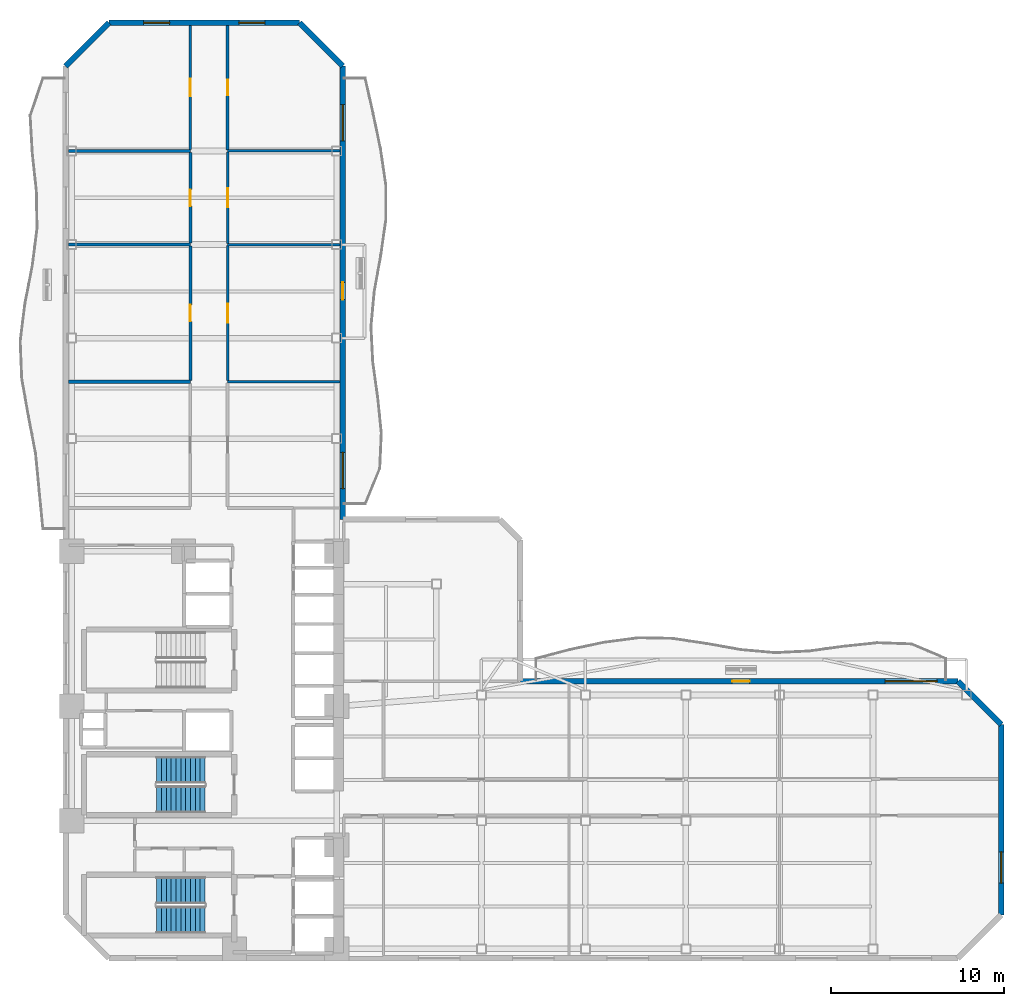
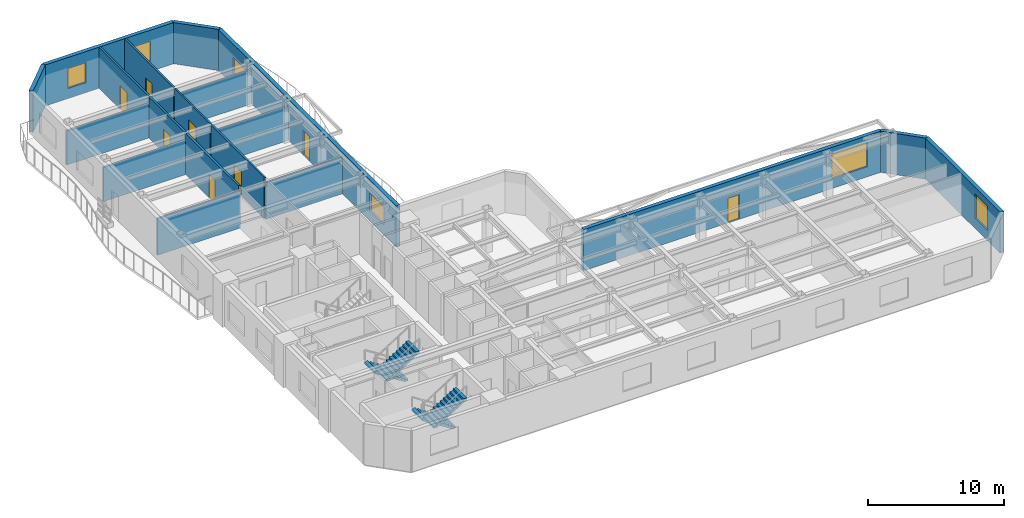
# One storey, part 6 of 10: 19 walls, 8 doors, 6 windows, 4 stair flights, 14 openings, 2 elements without a shape of their own.
"""IFC4 building model written with IfcOpenShell, lengths in metres."""

from ifc_helpers import new_model, si_unit, direction, frame, frame_2d, origin, place, context, subcontext, project, spatial, polyline, rectangle, outline, extrude, material, layer, layer_set, type_object, element, fill, aggregate, save


model = new_model("IFC4")

# Units and contexts
model_context = context("Model", 3, precision=1e-05, world=origin(), true_north=direction((0.0, 1.0)))
body_context = subcontext(model_context, "Body", "Model", "MODEL_VIEW")
ifc_project = project(units=[si_unit("LENGTHUNIT", "METRE"), si_unit("AREAUNIT", "SQUARE_METRE"), si_unit("VOLUMEUNIT", "CUBIC_METRE"), si_unit("PLANEANGLEUNIT", "RADIAN"), si_unit("MASSUNIT", "GRAM", prefix="KILO")], contexts=[model_context])

# Site, building, storey
site_placement = place(None, origin())
site = spatial("IfcSite", under=ifc_project, at=site_placement, CompositionType="ELEMENT")
building_placement = place(site_placement, origin())
building = spatial("IfcBuilding", under=site, at=building_placement, Name="Mawjaban Terraces University", CompositionType="ELEMENT")
storey_placement = place(building_placement, frame((0.0, 0.0, 81.699951171875)))
storey = spatial("IfcBuildingStorey", under=building, at=storey_placement, Name="L19", CompositionType="ELEMENT", Elevation=81.699951171875)

# Walls
ifc_material_1 = material(Name="Acoustic masonry blockwork", Category="masonry")
ifc_layer_1 = layer(ifc_material_1, 0.179931640625)
ifc_layer_set_1 = layer_set([ifc_layer_1], Name="Acoustic masonry blockwork")
wall_type_1 = type_object("IfcWallType", Name="AcousticStudioWall_180", PredefinedType="PARTITIONING", material=ifc_layer_set_1)
wall_1_placement = place(storey_placement, frame((29.199951171875, 33.280029296875, 0.0), z_axis=(0.0, 0.0, 1.0), x_axis=(-1.0, 0.0, 0.0)))
element("IfcWall", 1, at=wall_1_placement, inside=storey, type_object=wall_type_1, Name="L19 Departmental Office 8 Partition 8", PredefinedType="PARTITIONING", context=body_context, shape_type="SweptSolid", body=[
    extrude(rectangle(XDim=7.044921875, YDim=0.179931640625, at=frame_2d((3.5224609375, 0.0))), origin(), (0.0, 0.0, 1.0), 3.277099609375),
])
for number, where, z_axis, x_axis, name in (
    (2, (29.199951171875, 41.199951171875, 0.0), (0.0, 0.0, 1.0), (-1.0, 0.0, 0.0), "L19 Media Workshop 10 Partition 9"),
    (3, (29.199951171875, 46.60009765625, 0.0), (0.0, 0.0, 1.0), (-1.0, 0.0, 0.0), "L19 Design Studio 12 Partition 10"),
):
    element("IfcWall", number, at=place(storey_placement, frame(where, z_axis=z_axis, x_axis=x_axis)), inside=storey, type_object=wall_type_1, Name=name, PredefinedType="PARTITIONING", context=body_context, shape_type="SweptSolid", body=[
        extrude(rectangle(XDim=7.044921875, YDim=0.179931640625, at=frame_2d((3.5224609375, 0.0))), origin(), (0.0, 0.0, 1.0), 3.054931640625),
    ])

# Wall, opening, door
wall_2_placement = place(storey_placement, frame((29.199951171875, 41.114990234375, 0.0), z_axis=(0.0, 0.0, 1.0), x_axis=(0.0, -1.0, 0.0)))
wall_2 = element("IfcWall", 4, at=wall_2_placement, inside=storey, type_object=wall_type_1, Name="L19 North Academic Spine Corridor Partition 33", PredefinedType="PARTITIONING", context=body_context, shape_type="SweptSolid", body=[
    extrude(rectangle(XDim=7.75, YDim=0.179931640625, at=frame_2d((3.875, 0.0))), origin(), (0.0, 0.0, 1.0), 3.68994140625),
])
opening_1_placement = place(wall_2_placement, frame((3.39990234375, 0.0, 0.0)))
opening_1 = element("IfcOpeningElement", 5, at=opening_1_placement, cuts=wall_2, Name="Opening ID-095", PredefinedType="OPENING", context=body_context, shape_type="SweptSolid", body=[
    extrude(rectangle(XDim=0.949951171875, YDim=2.10009765625, at=frame_2d((0.47509765625, 1.050048828125))), frame((0.0, 0.099853515625, 0.0), z_axis=(0.0, -1.0, 0.0), x_axis=(1.0, 0.0, 0.0)), (0.0, 0.0, 1.0), 0.199951171875),
])
ifc_material_2 = material(Name="Powder-coated steel frame and solid acoustic timber leaf", Category="steel")
door_type_1 = type_object("IfcDoorType", Name="StudioDoor_950x2100", OperationType="NOTDEFINED", PredefinedType="DOOR", material=ifc_material_2)
door_1_placement = place(opening_1_placement, origin())
door_1 = element("IfcDoor", 6, at=door_1_placement, inside=storey, type_object=door_type_1, Name="L19 Media Workshop 10 Door", OperationType="SINGLE_SWING_RIGHT", OverallHeight=2.10009765625, OverallWidth=0.949951171875, PredefinedType="DOOR", context=body_context, shape_type="SweptSolid", body=[
    extrude(rectangle(XDim=0.949951171875, YDim=2.10009765625, at=frame_2d((0.47509765625, 1.050048828125))), frame((0.0, 0.02490234375, 0.0), z_axis=(0.0, -1.0, 0.0), x_axis=(1.0, 0.0, 0.0)), (0.0, 0.0, 1.0), 0.050048828125),
])
fill(opening_1, door_1)

wall_3_placement = place(storey_placement, frame((29.199951171875, 46.514892578125, 0.0), z_axis=(0.0, 0.0, 1.0), x_axis=(0.0, -1.0, 0.0)))
wall_3 = element("IfcWall", 7, at=wall_3_placement, inside=storey, type_object=wall_type_1, Name="L19 North Academic Spine Corridor Partition 34", PredefinedType="PARTITIONING", context=body_context, shape_type="SweptSolid", body=[
    extrude(rectangle(XDim=5.22998046875, YDim=0.179931640625, at=frame_2d((2.614990234375, 0.0))), origin(), (0.0, 0.0, 1.0), 3.68994140625),
])
opening_2_placement = place(wall_3_placement, frame((2.139892578125, 0.0, 0.0)))
opening_2 = element("IfcOpeningElement", 8, at=opening_2_placement, cuts=wall_3, Name="Opening ID-095", PredefinedType="OPENING", context=body_context, shape_type="SweptSolid", body=[
    extrude(rectangle(XDim=0.949951171875, YDim=2.10009765625, at=frame_2d((0.47509765625, 1.050048828125))), frame((0.0, 0.099853515625, 0.0), z_axis=(0.0, -1.0, 0.0), x_axis=(1.0, 0.0, 0.0)), (0.0, 0.0, 1.0), 0.199951171875),
])
door_2_placement = place(opening_2_placement, origin())
door_2 = element("IfcDoor", 9, at=door_2_placement, inside=storey, type_object=door_type_1, Name="L19 Design Studio 12 Door", OperationType="SINGLE_SWING_RIGHT", OverallHeight=2.10009765625, OverallWidth=0.949951171875, PredefinedType="DOOR", context=body_context, shape_type="SweptSolid", body=[
    extrude(rectangle(XDim=0.949951171875, YDim=2.10009765625, at=frame_2d((0.47509765625, 1.050048828125))), frame((0.0, 0.02490234375, 0.0), z_axis=(0.0, -1.0, 0.0), x_axis=(1.0, 0.0, 0.0)), (0.0, 0.0, 1.0), 0.050048828125),
])
fill(opening_2, door_2)

ifc_material_3 = material(Name="Fire-rated gypsum board on steel stud", Category="steel")
ifc_layer_2 = layer(ifc_material_3, 0.159912109375)
ifc_layer_set_2 = layer_set([ifc_layer_2], Name="Fire-rated gypsum board on steel stud")
wall_type_2 = type_object("IfcWallType", Name="CorridorPartition_160", PredefinedType="PARTITIONING", material=ifc_layer_set_2)
wall_4_placement = place(storey_placement, frame((29.199951171875, 53.844970703125, 0.0), z_axis=(0.0, 0.0, 1.0), x_axis=(0.0, -1.0, 0.0)))
wall_4 = element("IfcWall", 10, at=wall_4_placement, inside=storey, type_object=wall_type_2, Name="L19 North Academic Spine Corridor Partition 35", PredefinedType="PARTITIONING", context=body_context, shape_type="SweptSolid", body=[
    extrude(rectangle(XDim=7.159912109375, YDim=0.159912109375, at=frame_2d((3.580078125, 0.0))), origin(), (0.0, 0.0, 1.0), 3.68994140625),
])
opening_3_placement = place(wall_4_placement, frame((3.080078125, 0.0, 0.0)))
opening_3 = element("IfcOpeningElement", 11, at=opening_3_placement, cuts=wall_4, Name="Opening ID-100", PredefinedType="OPENING", context=body_context, shape_type="SweptSolid", body=[
    extrude(rectangle(XDim=1.0, YDim=2.10009765625, at=frame_2d((0.5, 1.050048828125))), frame((0.0, 0.08984375, 0.0), z_axis=(0.0, -1.0, 0.0), x_axis=(1.0, 0.0, 0.0)), (0.0, 0.0, 1.0), 0.179931640625),
])
door_type_2 = type_object("IfcDoorType", Name="ClassroomDoor_1000x2100", OperationType="NOTDEFINED", PredefinedType="DOOR", material=ifc_material_2)
door_3_placement = place(opening_3_placement, origin())
door_3 = element("IfcDoor", 12, at=door_3_placement, inside=storey, type_object=door_type_2, Name="L19 Classroom 14 Door", OperationType="SINGLE_SWING_RIGHT", OverallHeight=2.10009765625, OverallWidth=1.0, PredefinedType="DOOR", context=body_context, shape_type="SweptSolid", body=[
    extrude(rectangle(XDim=1.0, YDim=2.10009765625, at=frame_2d((0.5, 1.050048828125))), frame((0.0, 0.02490234375, 0.0), z_axis=(0.0, -1.0, 0.0), x_axis=(1.0, 0.0, 0.0)), (0.0, 0.0, 1.0), 0.050048828125),
])
fill(opening_3, door_3)

wall_5_placement = place(storey_placement, frame((31.35009765625, 46.66796875, 0.0), z_axis=(0.0, 0.0, 1.0), x_axis=(0.0, 1.0, 0.0)))
wall_5 = element("IfcWall", 13, at=wall_5_placement, inside=storey, type_object=wall_type_2, Name="L19 North Academic Spine Corridor Partition 39", PredefinedType="PARTITIONING", context=body_context, shape_type="SweptSolid", body=[
    extrude(rectangle(XDim=7.177001953125, YDim=0.159912109375, at=frame_2d((3.58837890625, 0.0))), origin(), (0.0, 0.0, 1.0), 3.68994140625),
])
opening_4_placement = place(wall_5_placement, frame((3.137939453125, 0.0, 0.0)))
opening_4 = element("IfcOpeningElement", 14, at=opening_4_placement, cuts=wall_5, Name="Opening ID-090", PredefinedType="OPENING", context=body_context, shape_type="SweptSolid", body=[
    extrude(rectangle(XDim=0.89990234375, YDim=2.10009765625, at=frame_2d((0.449951171875, 1.050048828125))), frame((0.0, 0.08984375, 0.0), z_axis=(0.0, -1.0, 0.0), x_axis=(1.0, 0.0, 0.0)), (0.0, 0.0, 1.0), 0.179931640625),
])
door_type_3 = type_object("IfcDoorType", Name="OfficeDoor_900x2100", OperationType="NOTDEFINED", PredefinedType="DOOR", material=ifc_material_2)
door_4_placement = place(opening_4_placement, origin())
door_4 = element("IfcDoor", 15, at=door_4_placement, inside=storey, type_object=door_type_3, Name="L19 Academic Counseling Room 15 Door", OperationType="SINGLE_SWING_LEFT", OverallHeight=2.10009765625, OverallWidth=0.89990234375, PredefinedType="DOOR", context=body_context, shape_type="SweptSolid", body=[
    extrude(rectangle(XDim=0.89990234375, YDim=2.10009765625, at=frame_2d((0.449951171875, 1.050048828125))), frame((0.0, 0.02490234375, 0.0), z_axis=(0.0, -1.0, 0.0), x_axis=(1.0, 0.0, 0.0)), (0.0, 0.0, 1.0), 0.050048828125),
])
fill(opening_4, door_4)

# Wall, opening, window
ifc_material_4 = material(Name="Insulated terracotta rainscreen on concrete backup C40/50", Category="masonry")
ifc_layer_3 = layer(ifc_material_4, 0.320068359375)
ifc_layer_set_3 = layer_set([ifc_layer_3], Name="Insulated terracotta rainscreen on concrete backup C40/50")
wall_type_3 = type_object("IfcWallType", Name="ExtTerracottaWall_320", PredefinedType="SOLIDWALL", material=ifc_layer_set_3)
wall_6_placement = place(storey_placement, frame((76.0, 2.5, 0.0), z_axis=(0.0, 0.0, 1.0), x_axis=(0.0, 1.0, 0.0)))
wall_6 = element("IfcWall", 16, at=wall_6_placement, inside=storey, type_object=wall_type_3, Name="L19 Exterior Terracotta Wall 3", PredefinedType="SOLIDWALL", context=body_context, shape_type="SweptSolid", body=[
    extrude(rectangle(XDim=11.0, YDim=0.320068359375, at=frame_2d((5.5, 0.0))), origin(), (0.0, 0.0, 1.0), 3.68994140625),
])
opening_5_placement = place(wall_6_placement, frame((1.85009765625, 0.0, 0.89990234375)))
opening_5 = element("IfcOpeningElement", 17, at=opening_5_placement, cuts=wall_6, Name="Opening W-10", PredefinedType="OPENING", context=body_context, shape_type="SweptSolid", body=[
    extrude(rectangle(XDim=1.800048828125, YDim=2.199951171875, at=frame_2d((0.89990234375, 1.10009765625))), frame((0.0, 0.169921875, 0.0), z_axis=(0.0, -1.0, 0.0), x_axis=(1.0, 0.0, 0.0)), (0.0, 0.0, 1.0), 0.340087890625),
])
ifc_material_5 = material(Name="Low-E solar-control double glazing in thermally broken aluminium frame", Category="aluminium")
window_type_1 = type_object("IfcWindowType", Name="Win_1800x2200", PartitioningType="SINGLE_PANEL", PredefinedType="WINDOW", material=ifc_material_5)
window_1_placement = place(opening_5_placement, origin())
window_1 = element("IfcWindow", 18, at=window_1_placement, inside=storey, type_object=window_type_1, Name="L19 Facade Window 3.1", OverallHeight=2.199951171875, OverallWidth=1.800048828125, PartitioningType="SINGLE_PANEL", PredefinedType="WINDOW", context=body_context, shape_type="SweptSolid", body=[
    extrude(rectangle(XDim=1.800048828125, YDim=2.199951171875, at=frame_2d((0.89990234375, 1.10009765625))), frame((0.0, 0.030029296875, 0.0), z_axis=(0.0, -1.0, 0.0), x_axis=(1.0, 0.0, 0.0)), (0.0, 0.0, 1.0), 0.06005859375),
])
fill(opening_5, window_1)

# Wall
wall_7_placement = place(storey_placement, frame((76.0, 13.5, 0.0), z_axis=(0.0, 0.0, 1.0), x_axis=(-0.707106781187, 0.707106781187, 0.0)))
element("IfcWall", 19, at=wall_7_placement, inside=storey, type_object=wall_type_3, Name="L19 Exterior Terracotta Wall 4", PredefinedType="SOLIDWALL", context=body_context, shape_type="SweptSolid", body=[
    extrude(rectangle(XDim=3.53564453125, YDim=0.320068359375, at=frame_2d((1.767822265625, 0.0))), origin(), (0.0, 0.0, 1.0), 3.68994140625),
])

# Wall, openings, door, window
wall_8_placement = place(storey_placement, frame((73.5, 16.0, 0.0), z_axis=(0.0, 0.0, 1.0), x_axis=(-1.0, 0.0, 0.0)))
wall_8 = element("IfcWall", 20, at=wall_8_placement, inside=storey, type_object=wall_type_3, Name="L19 Exterior Terracotta Wall 5", PredefinedType="SOLIDWALL", context=body_context, shape_type="SweptSolid", body=[
    extrude(rectangle(XDim=25.25, YDim=0.320068359375, at=frame_2d((12.625, 0.0))), origin(), (0.0, 0.0, 1.0), 3.68994140625),
])
opening_6_placement = place(wall_8_placement, frame((12.02490234375, 0.0, 0.0)))
opening_6 = element("IfcOpeningElement", 21, at=opening_6_placement, cuts=wall_8, Name="Opening BD-100", PredefinedType="OPENING", context=body_context, shape_type="SweptSolid", body=[
    extrude(rectangle(XDim=1.0, YDim=2.199951171875, at=frame_2d((0.5, 1.10009765625))), frame((0.0, 0.169921875, 0.0), z_axis=(0.0, -1.0, 0.0), x_axis=(1.0, 0.0, 0.0)), (0.0, 0.0, 1.0), 0.340087890625),
])
opening_7_placement = place(wall_8_placement, frame((1.2060546875, 0.0, 0.89990234375)))
opening_7 = element("IfcOpeningElement", 22, at=opening_7_placement, cuts=wall_8, Name="Opening W-12", PredefinedType="OPENING", context=body_context, shape_type="SweptSolid", body=[
    extrude(rectangle(XDim=3.0, YDim=2.199951171875, at=frame_2d((1.5, 1.10009765625))), frame((0.0, 0.169921875, 0.0), z_axis=(0.0, -1.0, 0.0), x_axis=(1.0, 0.0, 0.0)), (0.0, 0.0, 1.0), 0.340087890625),
])
ifc_material_6 = material(Name="Thermally broken anodised aluminium and laminated safety glass", Category="aluminium")
door_type_4 = type_object("IfcDoorType", Name="BalconyGlazedDoor_1000x2200", OperationType="NOTDEFINED", PredefinedType="DOOR", material=ifc_material_6)
door_5_placement = place(opening_6_placement, origin())
door_5 = element("IfcDoor", 23, at=door_5_placement, inside=storey, type_object=door_type_4, Name="L19 Balcony Access Door inner_north", OperationType="SINGLE_SWING_RIGHT", OverallHeight=2.199951171875, OverallWidth=1.0, PredefinedType="DOOR", context=body_context, shape_type="SweptSolid", body=[
    extrude(rectangle(XDim=1.0, YDim=2.199951171875, at=frame_2d((0.5, 1.10009765625))), frame((0.0, 0.02490234375, 0.0), z_axis=(0.0, -1.0, 0.0), x_axis=(1.0, 0.0, 0.0)), (0.0, 0.0, 1.0), 0.050048828125),
])
fill(opening_6, door_5)
window_type_2 = type_object("IfcWindowType", Name="Win_3000x2200", PartitioningType="SINGLE_PANEL", PredefinedType="WINDOW", material=ifc_material_5)
window_2_placement = place(opening_7_placement, origin())
window_2 = element("IfcWindow", 24, at=window_2_placement, inside=storey, type_object=window_type_2, Name="L19 Facade Window 5.1", OverallHeight=2.199951171875, OverallWidth=3.0, PartitioningType="SINGLE_PANEL", PredefinedType="WINDOW", context=body_context, shape_type="SweptSolid", body=[
    extrude(rectangle(XDim=3.0, YDim=2.199951171875, at=frame_2d((1.5, 1.10009765625))), frame((0.0, 0.030029296875, 0.0), z_axis=(0.0, -1.0, 0.0), x_axis=(1.0, 0.0, 0.0)), (0.0, 0.0, 1.0), 0.06005859375),
])
fill(opening_7, window_2)

# Wall, openings, door, windows
wall_9_placement = place(storey_placement, frame((38.0, 25.3369140625, 0.0), z_axis=(0.0, 0.0, 1.0), x_axis=(0.0, 1.0, 0.0)))
wall_9 = element("IfcWall", 25, at=wall_9_placement, inside=storey, type_object=wall_type_3, Name="L19 Exterior Terracotta Wall 9", PredefinedType="SOLIDWALL", context=body_context, shape_type="SweptSolid", body=[
    extrude(rectangle(XDim=26.1630859375, YDim=0.320068359375, at=frame_2d((13.08154296875, 0.0))), origin(), (0.0, 0.0, 1.0), 3.68994140625),
])
opening_8_placement = place(wall_9_placement, frame((12.680908203125, 0.0, 0.0)))
opening_8 = element("IfcOpeningElement", 26, at=opening_8_placement, cuts=wall_9, Name="Opening BD-100", PredefinedType="OPENING", context=body_context, shape_type="SweptSolid", body=[
    extrude(rectangle(XDim=1.0, YDim=2.199951171875, at=frame_2d((0.5, 1.10009765625))), frame((0.0, 0.169921875, 0.0), z_axis=(0.0, -1.0, 0.0), x_axis=(1.0, 0.0, 0.0)), (0.0, 0.0, 1.0), 0.340087890625),
])
opening_9_placement = place(wall_9_placement, frame((1.77001953125, 0.0, 0.89990234375)))
opening_9 = element("IfcOpeningElement", 27, at=opening_9_placement, cuts=wall_9, Name="Opening W-04", PredefinedType="OPENING", context=body_context, shape_type="SweptSolid", body=[
    extrude(rectangle(XDim=2.10009765625, YDim=1.60009765625, at=frame_2d((1.050048828125, 0.800048828125))), frame((0.0, 0.169921875, 0.0), z_axis=(0.0, -1.0, 0.0), x_axis=(1.0, 0.0, 0.0)), (0.0, 0.0, 1.0), 0.340087890625),
])
opening_10_placement = place(wall_9_placement, frame((21.843017578125, 0.0, 0.89990234375)))
opening_10 = element("IfcOpeningElement", 28, at=opening_10_placement, cuts=wall_9, Name="Opening W-04", PredefinedType="OPENING", context=body_context, shape_type="SweptSolid", body=[
    extrude(rectangle(XDim=2.10009765625, YDim=1.60009765625, at=frame_2d((1.050048828125, 0.800048828125))), frame((0.0, 0.169921875, 0.0), z_axis=(0.0, -1.0, 0.0), x_axis=(1.0, 0.0, 0.0)), (0.0, 0.0, 1.0), 0.340087890625),
])
door_6_placement = place(opening_8_placement, origin())
door_6 = element("IfcDoor", 29, at=door_6_placement, inside=storey, type_object=door_type_4, Name="L19 Balcony Access Door inner_east", OperationType="SINGLE_SWING_RIGHT", OverallHeight=2.199951171875, OverallWidth=1.0, PredefinedType="DOOR", context=body_context, shape_type="SweptSolid", body=[
    extrude(rectangle(XDim=1.0, YDim=2.199951171875, at=frame_2d((0.5, 1.10009765625))), frame((0.0, 0.02490234375, 0.0), z_axis=(0.0, -1.0, 0.0), x_axis=(1.0, 0.0, 0.0)), (0.0, 0.0, 1.0), 0.050048828125),
])
fill(opening_8, door_6)
window_type_3 = type_object("IfcWindowType", Name="Win_2100x1600", PartitioningType="SINGLE_PANEL", PredefinedType="WINDOW", material=ifc_material_5)
window_3_placement = place(opening_9_placement, origin())
window_3 = element("IfcWindow", 30, at=window_3_placement, inside=storey, type_object=window_type_3, Name="L19 Facade Window 9.1", OverallHeight=1.60009765625, OverallWidth=2.10009765625, PartitioningType="SINGLE_PANEL", PredefinedType="WINDOW", context=body_context, shape_type="SweptSolid", body=[
    extrude(rectangle(XDim=2.10009765625, YDim=1.60009765625, at=frame_2d((1.050048828125, 0.800048828125))), frame((0.0, 0.030029296875, 0.0), z_axis=(0.0, -1.0, 0.0), x_axis=(1.0, 0.0, 0.0)), (0.0, 0.0, 1.0), 0.06005859375),
])
fill(opening_9, window_3)
window_4_placement = place(opening_10_placement, origin())
window_4 = element("IfcWindow", 31, at=window_4_placement, inside=storey, type_object=window_type_3, Name="L19 Facade Window 9.4", OverallHeight=1.60009765625, OverallWidth=2.10009765625, PartitioningType="SINGLE_PANEL", PredefinedType="WINDOW", context=body_context, shape_type="SweptSolid", body=[
    extrude(rectangle(XDim=2.10009765625, YDim=1.60009765625, at=frame_2d((1.050048828125, 0.800048828125))), frame((0.0, 0.030029296875, 0.0), z_axis=(0.0, -1.0, 0.0), x_axis=(1.0, 0.0, 0.0)), (0.0, 0.0, 1.0), 0.06005859375),
])
fill(opening_10, window_4)

# Wall
wall_10_placement = place(storey_placement, frame((38.0, 51.5, 0.0), z_axis=(0.0, 0.0, 1.0), x_axis=(-0.707106781187, 0.707106781187, 0.0)))
element("IfcWall", 32, at=wall_10_placement, inside=storey, type_object=wall_type_3, Name="L19 Exterior Terracotta Wall 10", PredefinedType="SOLIDWALL", context=body_context, shape_type="SweptSolid", body=[
    extrude(rectangle(XDim=3.53564453125, YDim=0.320068359375, at=frame_2d((1.767822265625, 0.0))), origin(), (0.0, 0.0, 1.0), 3.68994140625),
])

# Wall, openings, windows
wall_11_placement = place(storey_placement, frame((35.5, 54.0, 0.0), z_axis=(0.0, 0.0, 1.0), x_axis=(-1.0, 0.0, 0.0)))
wall_11 = element("IfcWall", 33, at=wall_11_placement, inside=storey, type_object=wall_type_3, Name="L19 Exterior Terracotta Wall 11", PredefinedType="SOLIDWALL", context=body_context, shape_type="SweptSolid", body=[
    extrude(rectangle(XDim=11.0, YDim=0.320068359375, at=frame_2d((5.5, 0.0))), origin(), (0.0, 0.0, 1.0), 3.68994140625),
])
opening_11_placement = place(wall_11_placement, frame((2.0, 0.0, 0.89990234375)))
opening_11 = element("IfcOpeningElement", 34, at=opening_11_placement, cuts=wall_11, Name="Opening W-06", PredefinedType="OPENING", context=body_context, shape_type="SweptSolid", body=[
    extrude(rectangle(XDim=1.5, YDim=1.800048828125, at=frame_2d((0.75, 0.89990234375))), frame((0.0, 0.169921875, 0.0), z_axis=(0.0, -1.0, 0.0), x_axis=(1.0, 0.0, 0.0)), (0.0, 0.0, 1.0), 0.340087890625),
])
opening_12_placement = place(wall_11_placement, frame((7.5, 0.0, 0.89990234375)))
opening_12 = element("IfcOpeningElement", 35, at=opening_12_placement, cuts=wall_11, Name="Opening W-06", PredefinedType="OPENING", context=body_context, shape_type="SweptSolid", body=[
    extrude(rectangle(XDim=1.5, YDim=1.800048828125, at=frame_2d((0.75, 0.89990234375))), frame((0.0, 0.169921875, 0.0), z_axis=(0.0, -1.0, 0.0), x_axis=(1.0, 0.0, 0.0)), (0.0, 0.0, 1.0), 0.340087890625),
])
window_type_4 = type_object("IfcWindowType", Name="Win_1500x1800", PartitioningType="SINGLE_PANEL", PredefinedType="WINDOW", material=ifc_material_5)
window_5_placement = place(opening_11_placement, origin())
window_5 = element("IfcWindow", 36, at=window_5_placement, inside=storey, type_object=window_type_4, Name="L19 Facade Window 11.1", OverallHeight=1.800048828125, OverallWidth=1.5, PartitioningType="SINGLE_PANEL", PredefinedType="WINDOW", context=body_context, shape_type="SweptSolid", body=[
    extrude(rectangle(XDim=1.5, YDim=1.800048828125, at=frame_2d((0.75, 0.89990234375))), frame((0.0, 0.030029296875, 0.0), z_axis=(0.0, -1.0, 0.0), x_axis=(1.0, 0.0, 0.0)), (0.0, 0.0, 1.0), 0.06005859375),
])
fill(opening_11, window_5)
window_6_placement = place(opening_12_placement, origin())
window_6 = element("IfcWindow", 37, at=window_6_placement, inside=storey, type_object=window_type_4, Name="L19 Facade Window 11.2", OverallHeight=1.800048828125, OverallWidth=1.5, PartitioningType="SINGLE_PANEL", PredefinedType="WINDOW", context=body_context, shape_type="SweptSolid", body=[
    extrude(rectangle(XDim=1.5, YDim=1.800048828125, at=frame_2d((0.75, 0.89990234375))), frame((0.0, 0.030029296875, 0.0), z_axis=(0.0, -1.0, 0.0), x_axis=(1.0, 0.0, 0.0)), (0.0, 0.0, 1.0), 0.06005859375),
])
fill(opening_12, window_6)

# Walls
wall_12_placement = place(storey_placement, frame((24.5, 54.0, 0.0), z_axis=(0.0, 0.0, 1.0), x_axis=(-0.707106781187, -0.707106781187, 0.0)))
element("IfcWall", 38, at=wall_12_placement, inside=storey, type_object=wall_type_3, Name="L19 Exterior Terracotta Wall 12", PredefinedType="SOLIDWALL", context=body_context, shape_type="SweptSolid", body=[
    extrude(rectangle(XDim=3.53564453125, YDim=0.320068359375, at=frame_2d((1.767822265625, 0.0))), origin(), (0.0, 0.0, 1.0), 3.68994140625),
])
ifc_material_7 = material(Name="Moisture-resistant gypsum board on steel stud", Category="steel")
ifc_layer_4 = layer(ifc_material_7, 0.14501953125)
ifc_layer_set_4 = layer_set([ifc_layer_4], Name="Moisture-resistant gypsum board on steel stud")
wall_type_4 = type_object("IfcWallType", Name="LabPartition_145", PredefinedType="PARTITIONING", material=ifc_layer_set_4)
wall_13_placement = place(storey_placement, frame((37.844970703125, 33.280029296875, 0.0), z_axis=(0.0, 0.0, 1.0), x_axis=(-1.0, 0.0, 0.0)))
element("IfcWall", 39, at=wall_13_placement, inside=storey, type_object=wall_type_4, Name="L19 Quiet Reading Room 9 Partition 15", PredefinedType="PARTITIONING", context=body_context, shape_type="SweptSolid", body=[
    extrude(rectangle(XDim=6.494873046875, YDim=0.14501953125, at=frame_2d((3.24755859375, 0.0))), origin(), (0.0, 0.0, 1.0), 3.277099609375),
])
for number, where, z_axis, x_axis, name in (
    (40, (37.844970703125, 41.199951171875, 0.0), (0.0, 0.0, 1.0), (-1.0, 0.0, 0.0), "L19 Teaching Laboratory 11 Partition 16"),
    (41, (37.844970703125, 46.60009765625, 0.0), (0.0, 0.0, 1.0), (-1.0, 0.0, 0.0), "L19 Computational Laboratory 13 Partition 17"),
):
    element("IfcWall", number, at=place(storey_placement, frame(where, z_axis=z_axis, x_axis=x_axis)), inside=storey, type_object=wall_type_4, Name=name, PredefinedType="PARTITIONING", context=body_context, shape_type="SweptSolid", body=[
        extrude(rectangle(XDim=6.494873046875, YDim=0.14501953125, at=frame_2d((3.24755859375, 0.0))), origin(), (0.0, 0.0, 1.0), 3.054931640625),
    ])

# Wall, opening, door
wall_14_placement = place(storey_placement, frame((31.35009765625, 33.347900390625, 0.0), z_axis=(0.0, 0.0, 1.0), x_axis=(0.0, 1.0, 0.0)))
wall_14 = element("IfcWall", 42, at=wall_14_placement, inside=storey, type_object=wall_type_4, Name="L19 North Academic Spine Corridor Partition 37", PredefinedType="PARTITIONING", context=body_context, shape_type="SweptSolid", body=[
    extrude(rectangle(XDim=7.78515625, YDim=0.14501953125, at=frame_2d((3.892578125, 0.0))), origin(), (0.0, 0.0, 1.0), 3.68994140625),
])
opening_13_placement = place(wall_14_placement, frame((3.343017578125, 0.0, 0.0)))
opening_13 = element("IfcOpeningElement", 43, at=opening_13_placement, cuts=wall_14, Name="Opening ID-110", PredefinedType="OPENING", context=body_context, shape_type="SweptSolid", body=[
    extrude(rectangle(XDim=1.10009765625, YDim=2.14990234375, at=frame_2d((0.550048828125, 1.074951171875))), frame((0.0, 0.08251953125, 0.0), z_axis=(0.0, -1.0, 0.0), x_axis=(1.0, 0.0, 0.0)), (0.0, 0.0, 1.0), 0.1650390625),
])
door_type_5 = type_object("IfcDoorType", Name="LabDoor_1100x2150", OperationType="NOTDEFINED", PredefinedType="DOOR", material=ifc_material_2)
door_7_placement = place(opening_13_placement, origin())
door_7 = element("IfcDoor", 44, at=door_7_placement, inside=storey, type_object=door_type_5, Name="L19 Teaching Laboratory 11 Door", OperationType="SINGLE_SWING_LEFT", OverallHeight=2.14990234375, OverallWidth=1.10009765625, PredefinedType="DOOR", context=body_context, shape_type="SweptSolid", body=[
    extrude(rectangle(XDim=1.10009765625, YDim=2.14990234375, at=frame_2d((0.550048828125, 1.074951171875))), frame((0.0, 0.02490234375, 0.0), z_axis=(0.0, -1.0, 0.0), x_axis=(1.0, 0.0, 0.0)), (0.0, 0.0, 1.0), 0.050048828125),
])
fill(opening_13, door_7)

wall_15_placement = place(storey_placement, frame((31.35009765625, 41.26806640625, 0.0), z_axis=(0.0, 0.0, 1.0), x_axis=(0.0, 1.0, 0.0)))
wall_15 = element("IfcWall", 45, at=wall_15_placement, inside=storey, type_object=wall_type_4, Name="L19 North Academic Spine Corridor Partition 38", PredefinedType="PARTITIONING", context=body_context, shape_type="SweptSolid", body=[
    extrude(rectangle(XDim=5.263916015625, YDim=0.14501953125, at=frame_2d((2.6318359375, 0.0))), origin(), (0.0, 0.0, 1.0), 3.68994140625),
])
opening_14_placement = place(wall_15_placement, frame((2.08203125, 0.0, 0.0)))
opening_14 = element("IfcOpeningElement", 46, at=opening_14_placement, cuts=wall_15, Name="Opening ID-110", PredefinedType="OPENING", context=body_context, shape_type="SweptSolid", body=[
    extrude(rectangle(XDim=1.10009765625, YDim=2.14990234375, at=frame_2d((0.550048828125, 1.074951171875))), frame((0.0, 0.08251953125, 0.0), z_axis=(0.0, -1.0, 0.0), x_axis=(1.0, 0.0, 0.0)), (0.0, 0.0, 1.0), 0.1650390625),
])
door_8_placement = place(opening_14_placement, origin())
door_8 = element("IfcDoor", 47, at=door_8_placement, inside=storey, type_object=door_type_5, Name="L19 Computational Laboratory 13 Door", OperationType="SINGLE_SWING_LEFT", OverallHeight=2.14990234375, OverallWidth=1.10009765625, PredefinedType="DOOR", context=body_context, shape_type="SweptSolid", body=[
    extrude(rectangle(XDim=1.10009765625, YDim=2.14990234375, at=frame_2d((0.550048828125, 1.074951171875))), frame((0.0, 0.02490234375, 0.0), z_axis=(0.0, -1.0, 0.0), x_axis=(1.0, 0.0, 0.0)), (0.0, 0.0, 1.0), 0.050048828125),
])
fill(opening_14, door_8)

# Stair, stair flights
ifc_material_8 = material(Name="Concrete C40/50", Category="concrete")
stair_type = type_object("IfcStairType", Name="Stair_Core1550_H39", PredefinedType="HALF_TURN_STAIR", material=ifc_material_8)
stair_1_placement = place(storey_placement, origin())
stair_1 = element("IfcStair", 48, at=stair_1_placement, inside=storey, type_object=stair_type, Name="L19 Core Exit Stair 1", PredefinedType="HALF_TURN_STAIR")
stair_flight_type = type_object("IfcStairFlightType", Name="Flight_Core1550_H39", PredefinedType="STRAIGHT", material=ifc_material_8)
stair_flight_1_placement = place(storey_placement, frame((30.050048828125, 3.925048828125, 0.0), z_axis=(0.0, 0.0, 1.0), x_axis=(-1.0, 0.0, 0.0)))
stair_flight_1 = element("IfcStairFlight", 49, at=stair_flight_1_placement, type_object=stair_flight_type, Name="ST-1 flight 1", NumberOfRisers=11, NumberOfTreads=10, PredefinedType="STRAIGHT", RiserHeight=0.177272727, TreadLength=0.28, context=body_context, shape_type="SweptSolid", body=[
    extrude(outline(polyline([(0.0, 0.0), (0.0, 0.17724609375), (0.280029296875, 0.17724609375), (0.280029296875, 0.3544921875), (0.56005859375, 0.3544921875), (0.56005859375, 0.53173828125), (0.840087890625, 0.53173828125), (0.840087890625, 0.708984375), (1.1201171875, 0.708984375), (1.1201171875, 0.886474609375), (1.39990234375, 0.886474609375), (1.39990234375, 1.063720703125), (1.679931640625, 1.063720703125), (1.679931640625, 1.240966796875), (1.9599609375, 1.240966796875), (1.9599609375, 1.418212890625), (2.239990234375, 1.418212890625), (2.239990234375, 1.595458984375), (2.52001953125, 1.595458984375), (2.52001953125, 1.772705078125), (2.800048828125, 1.772705078125), (2.800048828125, 1.949951171875), (2.800048828125, 1.59521484375), (0.2802734375, 0.0), (0.0, 0.0)])), frame((0.0, 0.77490234375, 0.0), z_axis=(0.0, -1.0, 0.0), x_axis=(1.0, 0.0, 0.0)), (0.0, 0.0, 1.0), 1.550048828125),
])
stair_flight_2_placement = place(storey_placement, frame((27.25, 2.22509765625, 1.949951171875), z_axis=(0.0, 0.0, 1.0), x_axis=(1.0, 0.0, 0.0)))
stair_flight_2 = element("IfcStairFlight", 50, at=stair_flight_2_placement, type_object=stair_flight_type, Name="ST-1 flight 2", NumberOfRisers=11, NumberOfTreads=10, PredefinedType="STRAIGHT", RiserHeight=0.177272727, TreadLength=0.28, context=body_context, shape_type="SweptSolid", body=[
    extrude(outline(polyline([(0.0, 0.0), (0.0, 0.17724609375), (0.280029296875, 0.17724609375), (0.280029296875, 0.3544921875), (0.56005859375, 0.3544921875), (0.56005859375, 0.53173828125), (0.840087890625, 0.53173828125), (0.840087890625, 0.708984375), (1.1201171875, 0.708984375), (1.1201171875, 0.886474609375), (1.39990234375, 0.886474609375), (1.39990234375, 1.063720703125), (1.679931640625, 1.063720703125), (1.679931640625, 1.240966796875), (1.9599609375, 1.240966796875), (1.9599609375, 1.418212890625), (2.239990234375, 1.418212890625), (2.239990234375, 1.595458984375), (2.52001953125, 1.595458984375), (2.52001953125, 1.772705078125), (2.800048828125, 1.772705078125), (2.800048828125, 1.949951171875), (2.800048828125, 1.59521484375), (0.2802734375, 0.0), (0.0, 0.0)])), frame((0.0, 0.77490234375, 0.0), z_axis=(0.0, -1.0, 0.0), x_axis=(1.0, 0.0, 0.0)), (0.0, 0.0, 1.0), 1.550048828125),
])
aggregate(stair_1, [stair_flight_1, stair_flight_2])

stair_2_placement = place(storey_placement, origin())
stair_2 = element("IfcStair", 51, at=stair_2_placement, inside=storey, type_object=stair_type, Name="L19 Core Exit Stair 3", PredefinedType="HALF_TURN_STAIR")
stair_flight_3_placement = place(storey_placement, frame((30.050048828125, 10.875, 0.0), z_axis=(0.0, 0.0, 1.0), x_axis=(-1.0, 0.0, 0.0)))
stair_flight_3 = element("IfcStairFlight", 52, at=stair_flight_3_placement, type_object=stair_flight_type, Name="ST-3 flight 1", NumberOfRisers=11, NumberOfTreads=10, PredefinedType="STRAIGHT", RiserHeight=0.177272727, TreadLength=0.28, context=body_context, shape_type="SweptSolid", body=[
    extrude(outline(polyline([(0.0, 0.0), (0.0, 0.17724609375), (0.280029296875, 0.17724609375), (0.280029296875, 0.3544921875), (0.56005859375, 0.3544921875), (0.56005859375, 0.53173828125), (0.840087890625, 0.53173828125), (0.840087890625, 0.708984375), (1.1201171875, 0.708984375), (1.1201171875, 0.886474609375), (1.39990234375, 0.886474609375), (1.39990234375, 1.063720703125), (1.679931640625, 1.063720703125), (1.679931640625, 1.240966796875), (1.9599609375, 1.240966796875), (1.9599609375, 1.418212890625), (2.239990234375, 1.418212890625), (2.239990234375, 1.595458984375), (2.52001953125, 1.595458984375), (2.52001953125, 1.772705078125), (2.800048828125, 1.772705078125), (2.800048828125, 1.949951171875), (2.800048828125, 1.59521484375), (0.2802734375, 0.0), (0.0, 0.0)])), frame((0.0, 0.77490234375, 0.0), z_axis=(0.0, -1.0, 0.0), x_axis=(1.0, 0.0, 0.0)), (0.0, 0.0, 1.0), 1.550048828125),
])
stair_flight_4_placement = place(storey_placement, frame((27.25, 9.175048828125, 1.949951171875), z_axis=(0.0, 0.0, 1.0), x_axis=(1.0, 0.0, 0.0)))
stair_flight_4 = element("IfcStairFlight", 53, at=stair_flight_4_placement, type_object=stair_flight_type, Name="ST-3 flight 2", NumberOfRisers=11, NumberOfTreads=10, PredefinedType="STRAIGHT", RiserHeight=0.177272727, TreadLength=0.28, context=body_context, shape_type="SweptSolid", body=[
    extrude(outline(polyline([(0.0, 0.0), (0.0, 0.17724609375), (0.280029296875, 0.17724609375), (0.280029296875, 0.3544921875), (0.56005859375, 0.3544921875), (0.56005859375, 0.53173828125), (0.840087890625, 0.53173828125), (0.840087890625, 0.708984375), (1.1201171875, 0.708984375), (1.1201171875, 0.886474609375), (1.39990234375, 0.886474609375), (1.39990234375, 1.063720703125), (1.679931640625, 1.063720703125), (1.679931640625, 1.240966796875), (1.9599609375, 1.240966796875), (1.9599609375, 1.418212890625), (2.239990234375, 1.418212890625), (2.239990234375, 1.595458984375), (2.52001953125, 1.595458984375), (2.52001953125, 1.772705078125), (2.800048828125, 1.772705078125), (2.800048828125, 1.949951171875), (2.800048828125, 1.59521484375), (0.2802734375, 0.0), (0.0, 0.0)])), frame((0.0, 0.77490234375, 0.0), z_axis=(0.0, -1.0, 0.0), x_axis=(1.0, 0.0, 0.0)), (0.0, 0.0, 1.0), 1.550048828125),
])
aggregate(stair_2, [stair_flight_3, stair_flight_4])

save(model, "model.ifc")
